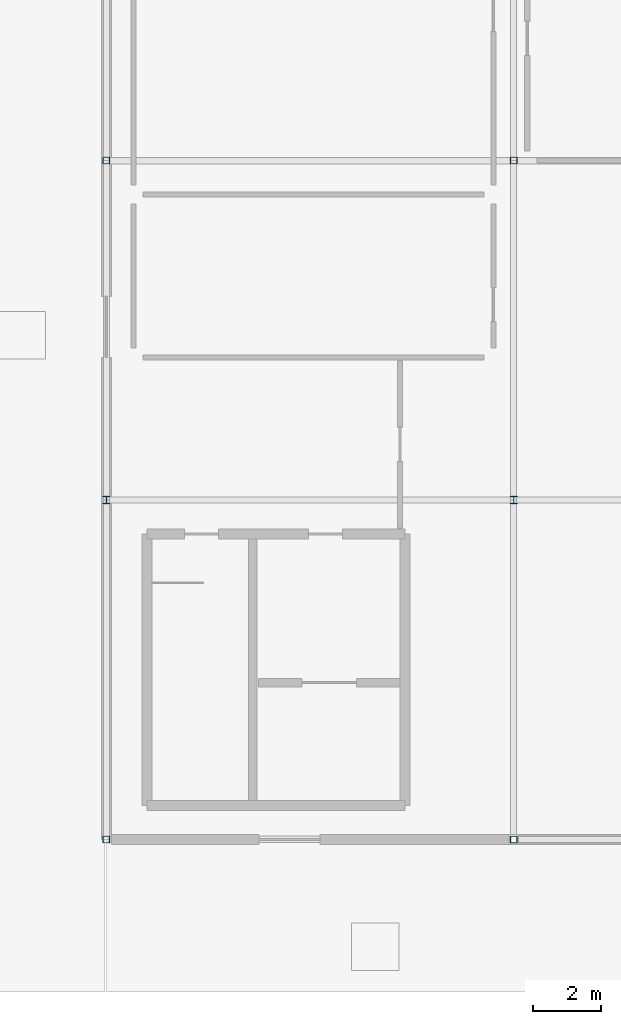
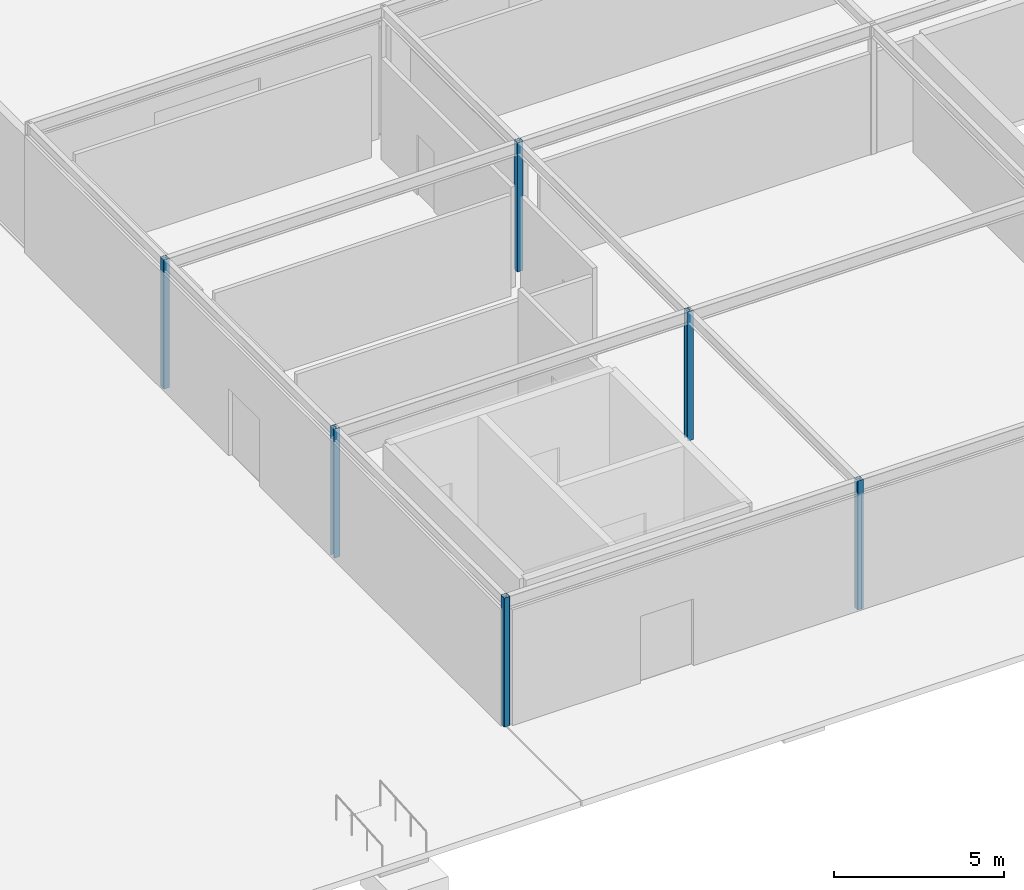
# One storey, part 29 of 119: 6 columns.
"""IFC4 building model written with IfcOpenShell, lengths in metres."""

from ifc_helpers import new_model, si_unit, derived_unit, direction, frame, origin, origin_2d_with_axis, place, context, subcontext, project, spatial, hollow_rectangle, i_section, extrude, material, material_profile, profile_set, type_object, element, save


model = new_model("IFC4")

# Units and contexts
model_context = context("Model", 3, precision=1e-05, world=origin(), true_north=direction((0.0, 1.0)))
body_context = subcontext(model_context, "Body", "Model", "MODEL_VIEW")
ifc_project = project(units=[si_unit("LENGTHUNIT", "METRE"), si_unit("AREAUNIT", "SQUARE_METRE"), si_unit("VOLUMEUNIT", "CUBIC_METRE"), si_unit("PLANEANGLEUNIT", "RADIAN"), si_unit("MASSUNIT", "GRAM", prefix="KILO"), derived_unit("THERMALTRANSMITTANCEUNIT", [(si_unit("POWERUNIT", "WATT"), 1), (si_unit("LENGTHUNIT", "METRE"), -2), (si_unit("THERMODYNAMICTEMPERATUREUNIT", "KELVIN"), -1)])], contexts=[model_context])

# Site, building, storey
site_placement = place(None, origin())
site = spatial("IfcSite", under=ifc_project, at=site_placement, CompositionType="ELEMENT")
building_placement = place(site_placement, origin())
building = spatial("IfcBuilding", under=site, at=building_placement, Name="Cinnabar Yard Market Hall", CompositionType="ELEMENT")
storey_placement = place(building_placement, origin())
storey = spatial("IfcBuildingStorey", under=building, at=storey_placement, Name="L00", CompositionType="ELEMENT", Elevation=0.0)

# Columns
ifc_material_1 = material(Name="Steel Grade 300 (300 MPa)", Category="steel")
ifc_material_profile_1 = material_profile(ifc_material_1, i_section(OverallWidth=0.205078125, OverallDepth=0.209716796875, WebThickness=0.00927734375, FlangeThickness=0.01416015625, FilletRadius=0.011474609375, at=origin_2d_with_axis()), Name="200UC59.5")
ifc_profile_set_1 = profile_set([ifc_material_profile_1], Name="Steel Grade 300 (300 MPa)")
column_type_1 = type_object("IfcColumnType", Name="COL-C12", PredefinedType="COLUMN", material=ifc_profile_set_1)
column_1_placement = place(storey_placement, frame((190.0, 24.0, 0.0), z_axis=(0.0, 0.0, 1.0), x_axis=(1.0, 0.0, 0.0)))
element("IfcColumn", 1, at=column_1_placement, inside=storey, type_object=column_type_1, Name="Dock Column V4-02-02 L00", PredefinedType="COLUMN", context=body_context, shape_type="SweptSolid", body=[
    extrude(i_section(OverallWidth=0.205078125, OverallDepth=0.209716796875, WebThickness=0.00927734375, FlangeThickness=0.01416015625, FilletRadius=0.011474609375, at=origin_2d_with_axis()), origin(), (0.0, 0.0, 1.0), 4.6298828125),
])
ifc_material_profile_2 = material_profile(ifc_material_1, i_section(OverallWidth=0.205078125, OverallDepth=0.209716796875, WebThickness=0.00927734375, FlangeThickness=0.01416015625, FilletRadius=0.011474609375, at=origin_2d_with_axis()), Name="200UC59.5")
ifc_profile_set_2 = profile_set([ifc_material_profile_2], Name="Steel Grade 300 (300 MPa)")
column_type_2 = type_object("IfcColumnType", Name="COL-C12E", PredefinedType="COLUMN", material=ifc_profile_set_2)
column_2_placement = place(storey_placement, frame((178.0, 24.0, 0.0), z_axis=(0.0, 0.0, 1.0), x_axis=(1.0, 0.0, 0.0)))
element("IfcColumn", 2, at=column_2_placement, inside=storey, type_object=column_type_2, Name="Dock Column V4-01-02 L00", PredefinedType="COLUMN", context=body_context, shape_type="SweptSolid", body=[
    extrude(i_section(OverallWidth=0.205078125, OverallDepth=0.209716796875, WebThickness=0.00927734375, FlangeThickness=0.01416015625, FilletRadius=0.011474609375, at=origin_2d_with_axis()), origin(), (0.0, 0.0, 1.0), 4.6298828125),
])
ifc_material_2 = material(Name="Cold-formed steel C350L0", Category="steel")
ifc_material_profile_3 = material_profile(ifc_material_2, hollow_rectangle(XDim=0.199951171875, YDim=0.199951171875, WallThickness=0.008056640625, InnerFilletRadius=0.008056640625, OuterFilletRadius=0.01611328125, at=origin_2d_with_axis()), Name="200x200x8.0SHS")
ifc_profile_set_3 = profile_set([ifc_material_profile_3], Name="Cold-formed steel C350L0")
column_type_3 = type_object("IfcColumnType", Name="COL-C15", PredefinedType="COLUMN", material=ifc_profile_set_3)
column_3_placement = place(storey_placement, frame((190.0, 34.0, 0.0), z_axis=(0.0, 0.0, 1.0), x_axis=(1.0, 0.0, 0.0)))
element("IfcColumn", 3, at=column_3_placement, inside=storey, type_object=column_type_3, Name="Dock Column V4-02-03 L00", PredefinedType="COLUMN", context=body_context, shape_type="SweptSolid", body=[
    extrude(hollow_rectangle(XDim=0.199951171875, YDim=0.199951171875, WallThickness=0.008056640625, InnerFilletRadius=0.008056640625, OuterFilletRadius=0.01611328125, at=origin_2d_with_axis()), origin(), (0.0, 0.0, 1.0), 4.6298828125),
])
ifc_material_profile_4 = material_profile(ifc_material_2, hollow_rectangle(XDim=0.199951171875, YDim=0.199951171875, WallThickness=0.008056640625, InnerFilletRadius=0.008056640625, OuterFilletRadius=0.01611328125, at=origin_2d_with_axis()), Name="200x200x8.0SHS")
ifc_profile_set_4 = profile_set([ifc_material_profile_4], Name="Cold-formed steel C350L0")
column_type_4 = type_object("IfcColumnType", Name="COL-C15E", PredefinedType="COLUMN", material=ifc_profile_set_4)
for number, where, z_axis, x_axis, name in (
    (4, (178.0, 14.0, 0.0), (0.0, 0.0, 1.0), (1.0, 0.0, 0.0), "Dock Column V4-01-01 L00"),
    (5, (178.0, 34.0, 0.0), (0.0, 0.0, 1.0), (1.0, 0.0, 0.0), "Dock Column V4-01-03 L00"),
    (6, (190.0, 14.0, 0.0), (0.0, 0.0, 1.0), (1.0, 0.0, 0.0), "Dock Column V4-02-01 L00"),
):
    element("IfcColumn", number, at=place(storey_placement, frame(where, z_axis=z_axis, x_axis=x_axis)), inside=storey, type_object=column_type_4, Name=name, PredefinedType="COLUMN", context=body_context, shape_type="SweptSolid", body=[
        extrude(hollow_rectangle(XDim=0.199951171875, YDim=0.199951171875, WallThickness=0.008056640625, InnerFilletRadius=0.008056640625, OuterFilletRadius=0.01611328125, at=origin_2d_with_axis()), origin(), (0.0, 0.0, 1.0), 4.6298828125),
    ])

save(model, "model.ifc")
